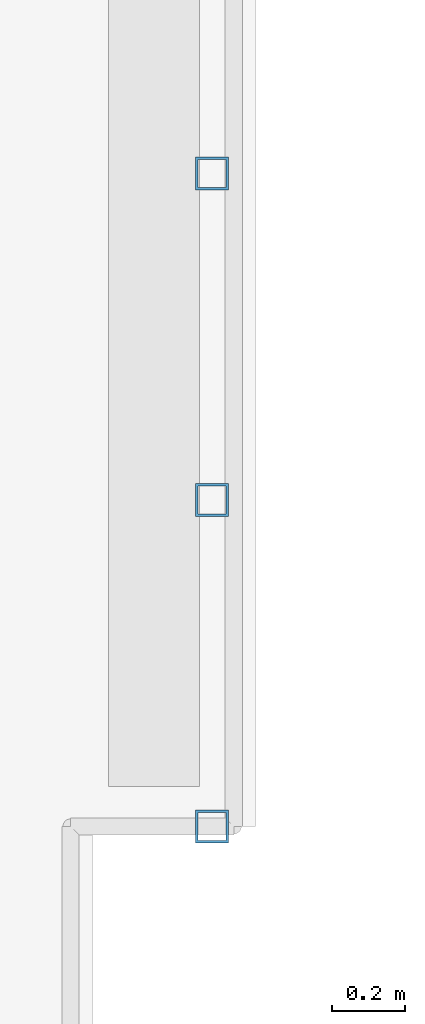
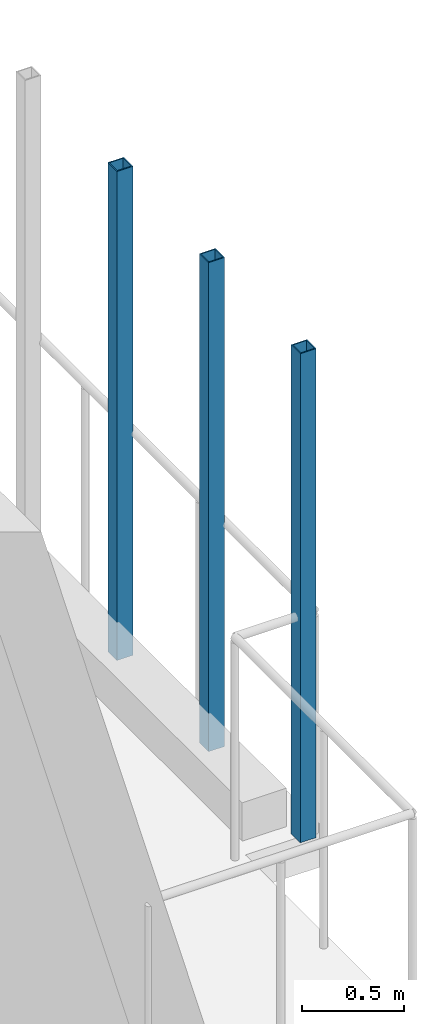
# One storey, part 9 of 51: 3 members.
"""IFC4 building model written with IfcOpenShell, lengths in metres."""

from ifc_helpers import new_model, si_unit, derived_unit, direction, frame, origin, origin_2d, place, context, subcontext, project, spatial, hollow_rectangle, extrude, material, material_profile, profile_set, type_object, element, save


model = new_model("IFC4")

# Units and contexts
model_context = context("Model", 3, precision=1e-05, world=origin(), true_north=direction((0.0, 1.0)))
body_context = subcontext(model_context, "Body", "Model", "MODEL_VIEW")
ifc_project = project(units=[si_unit("LENGTHUNIT", "METRE"), si_unit("AREAUNIT", "SQUARE_METRE"), si_unit("VOLUMEUNIT", "CUBIC_METRE"), si_unit("PLANEANGLEUNIT", "RADIAN"), si_unit("MASSUNIT", "GRAM", prefix="KILO"), derived_unit("THERMALTRANSMITTANCEUNIT", [(si_unit("MASSUNIT", "GRAM", prefix="KILO"), 1), (si_unit("TIMEUNIT", "SECOND"), -3), (si_unit("THERMODYNAMICTEMPERATUREUNIT", "KELVIN"), -1)])], contexts=[model_context])

# Site, building, storey
site_placement = place(None, origin())
site = spatial("IfcSite", under=ifc_project, at=site_placement, CompositionType="ELEMENT")
building_placement = place(site_placement, origin())
building = spatial("IfcBuilding", under=site, at=building_placement, Name="Ochrekiln Boulevard Commons", CompositionType="ELEMENT")
storey_placement = place(building_placement, frame((0.0, 0.0, 15.22509765625)))
storey = spatial("IfcBuildingStorey", under=building, at=storey_placement, Name="L04", CompositionType="ELEMENT", Elevation=15.22509765625)

# Members
ifc_material = material(Name="Steel A500 Grade C", Category="steel")
ifc_material_profile = material_profile(ifc_material, hollow_rectangle(XDim=0.090087890625, YDim=0.090087890625, WallThickness=0.00634765625, at=origin_2d()), Name="HSS90X90X6.4")
ifc_profile_set = profile_set([ifc_material_profile], Name="Steel A500 Grade C")
member_type = type_object("IfcMemberType", Name="MEM-PST-HSS90", PredefinedType="POST", material=ifc_profile_set)
for number, where, z_axis, x_axis, name in (
    (1, (23.47998046875, 78.300048828125, 0.0), (0.0, 0.0, 1.0), (1.0, 0.0, 0.0), "Block A L04 Slim Vertical Balcony Post (89)"),
    (2, (23.47998046875, 79.199951171875, 0.0), (0.0, 0.0, 1.0), (1.0, 0.0, 0.0), "Block A L04 Slim Vertical Balcony Post (90)"),
    (3, (23.47998046875, 80.10009765625, 0.0), (0.0, 0.0, 1.0), (1.0, 0.0, 0.0), "Block A L04 Slim Vertical Balcony Post (91)"),
):
    element("IfcMember", number, at=place(storey_placement, frame(where, z_axis=z_axis, x_axis=x_axis)), inside=storey, type_object=member_type, Name=name, PredefinedType="POST", context=body_context, shape_type="SweptSolid", body=[
        extrude(hollow_rectangle(XDim=0.090087890625, YDim=0.090087890625, WallThickness=0.00634765625, at=origin_2d()), origin(), (0.0, 0.0, 1.0), 2.929931640625),
    ])

save(model, "model.ifc")
